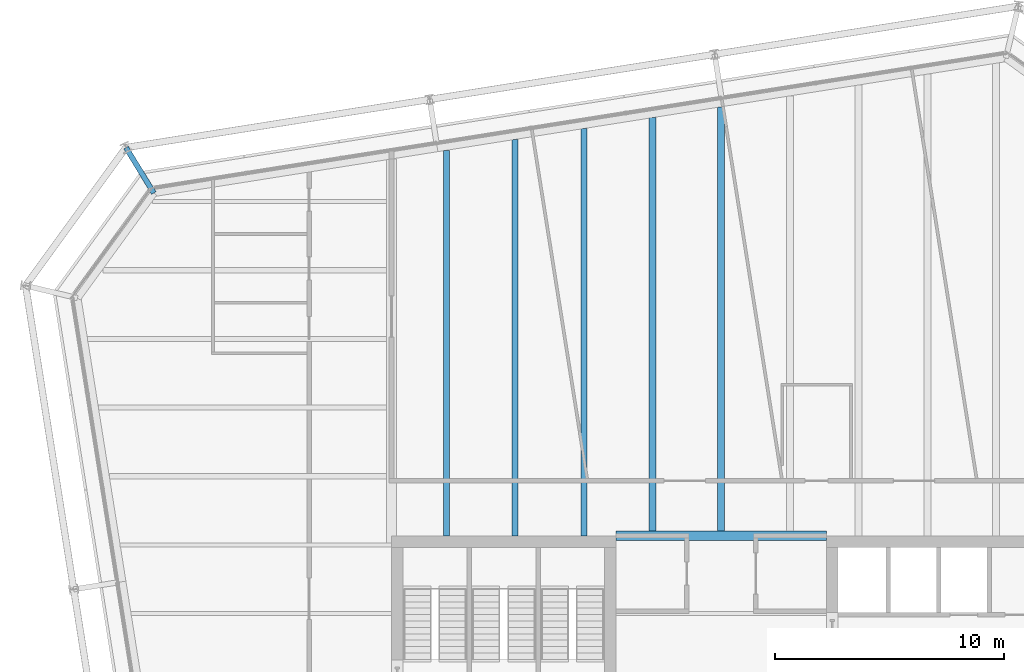
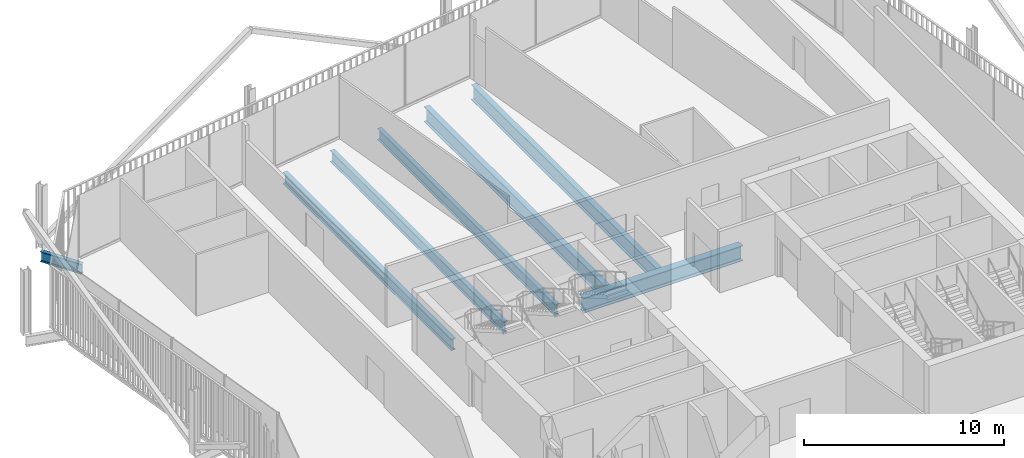
# One storey, part 12 of 21: 7 beams.
"""IFC4 building model written with IfcOpenShell, lengths in metres."""

from ifc_helpers import new_model, si_unit, direction, frame, origin, origin_2d, place, context, subcontext, project, spatial, i_section, extrude, material, material_profile, profile_set, type_object, element, save


model = new_model("IFC4")

# Units and contexts
model_context = context("Model", 3, precision=1e-05, world=origin(), true_north=direction((0.0, 1.0)))
body_context = subcontext(model_context, "Body", "Model", "MODEL_VIEW")
ifc_project = project(units=[si_unit("LENGTHUNIT", "METRE"), si_unit("AREAUNIT", "SQUARE_METRE"), si_unit("VOLUMEUNIT", "CUBIC_METRE"), si_unit("PLANEANGLEUNIT", "RADIAN"), si_unit("MASSUNIT", "GRAM", prefix="KILO")], contexts=[model_context])

# Site, building, storey
site_placement = place(None, origin())
site = spatial("IfcSite", under=ifc_project, at=site_placement, CompositionType="ELEMENT")
building_placement = place(site_placement, origin())
building = spatial("IfcBuilding", under=site, at=building_placement, Name="Millrace Tower", CompositionType="ELEMENT")
storey_placement = place(building_placement, frame((0.0, 0.0, 255.199951171875)))
storey = spatial("IfcBuildingStorey", under=building, at=storey_placement, Name="L58", CompositionType="ELEMENT", Elevation=255.199951171875)

# Beams
ifc_material_1 = material(Name="Steel ASTM A992 Grade 50", Category="steel")
ifc_material_profile_1 = material_profile(ifc_material_1, i_section(OverallWidth=0.256591796875, OverallDepth=0.693359375, WebThickness=0.014404296875, FlangeThickness=0.023681640625, FilletRadius=0.01513671875, at=origin_2d()))
ifc_profile_set_1 = profile_set([ifc_material_profile_1], Name="Steel ASTM A992 Grade 50")
beam_type_1 = type_object("IfcBeamType", Name="Floor beam W27x114", PredefinedType="JOIST", material=ifc_profile_set_1)
beam_1_placement = place(storey_placement, frame((-12.0, 9.39990234375, -0.506591796875), z_axis=(0.0, 1.0, 0.0), x_axis=(-1.0, 0.0, 0.0)))
element("IfcBeam", 1, at=beam_1_placement, inside=storey, type_object=beam_type_1, Name="BM-D-L58-S1-S036", PredefinedType="JOIST", context=body_context, shape_type="SweptSolid", body=[
    extrude(i_section(OverallWidth=0.256591796875, OverallDepth=0.693359375, WebThickness=0.014404296875, FlangeThickness=0.023681640625, FilletRadius=0.01513671875, at=origin_2d()), origin(), (0.0, 0.0, 1.0), 16.8369140625),
])
beam_2_placement = place(storey_placement, frame((-9.0, 9.39990234375, -0.506591796875), z_axis=(0.0, 1.0, 0.0), x_axis=(-1.0, 0.0, 0.0)))
element("IfcBeam", 2, at=beam_2_placement, inside=storey, type_object=beam_type_1, Name="BM-D-L58-S1-S038", PredefinedType="JOIST", context=body_context, shape_type="SweptSolid", body=[
    extrude(i_section(OverallWidth=0.256591796875, OverallDepth=0.693359375, WebThickness=0.014404296875, FlangeThickness=0.023681640625, FilletRadius=0.01513671875, at=origin_2d()), origin(), (0.0, 0.0, 1.0), 17.31201171875),
])
beam_3_placement = place(storey_placement, frame((-6.0, 9.39990234375, -0.506591796875), z_axis=(0.0, 1.0, 0.0), x_axis=(-1.0, 0.0, 0.0)))
element("IfcBeam", 3, at=beam_3_placement, inside=storey, type_object=beam_type_1, Name="BM-D-L58-S1-S040", PredefinedType="JOIST", context=body_context, shape_type="SweptSolid", body=[
    extrude(i_section(OverallWidth=0.256591796875, OverallDepth=0.693359375, WebThickness=0.014404296875, FlangeThickness=0.023681640625, FilletRadius=0.01513671875, at=origin_2d()), origin(), (0.0, 0.0, 1.0), 17.787109375),
])
ifc_material_2 = material(Name="Steel ASTM A992 Grade 50", Category="steel")
ifc_material_profile_2 = material_profile(ifc_material_2, i_section(OverallWidth=0.307373046875, OverallDepth=0.927001953125, WebThickness=0.01953125, FlangeThickness=0.031982421875, FilletRadius=0.01904296875, at=origin_2d()))
ifc_profile_set_2 = profile_set([ifc_material_profile_2], Name="Steel ASTM A992 Grade 50")
beam_type_2 = type_object("IfcBeamType", Name="Floor beam W36x194", PredefinedType="JOIST", material=ifc_profile_set_2)
beam_4_placement = place(storey_placement, frame((-3.0, 9.609619140625, -0.62353515625), z_axis=(0.0, 1.0, 0.0), x_axis=(-1.0, 0.0, 0.0)))
element("IfcBeam", 4, at=beam_4_placement, inside=storey, type_object=beam_type_2, Name="BM-D-L58-S1-S042", PredefinedType="JOIST", context=body_context, shape_type="SweptSolid", body=[
    extrude(i_section(OverallWidth=0.307373046875, OverallDepth=0.927001953125, WebThickness=0.01953125, FlangeThickness=0.031982421875, FilletRadius=0.01904296875, at=origin_2d()), origin(), (0.0, 0.0, 1.0), 18.052490234375),
])
beam_5_placement = place(storey_placement, frame((0.0, 9.609619140625, -0.62353515625), z_axis=(0.0, 1.0, 0.0), x_axis=(-1.0, 0.0, 0.0)))
element("IfcBeam", 5, at=beam_5_placement, inside=storey, type_object=beam_type_2, Name="BM-D-L58-S1-S044", PredefinedType="JOIST", context=body_context, shape_type="SweptSolid", body=[
    extrude(i_section(OverallWidth=0.307373046875, OverallDepth=0.927001953125, WebThickness=0.01953125, FlangeThickness=0.031982421875, FilletRadius=0.01904296875, at=origin_2d()), origin(), (0.0, 0.0, 1.0), 18.527587890625),
])
ifc_material_3 = material(Name="Steel ASTM A992 Grade 50", Category="steel")
ifc_material_profile_3 = material_profile(ifc_material_3, i_section(OverallWidth=0.419189453125, OverallDepth=0.927001953125, WebThickness=0.019287109375, FlangeThickness=0.031982421875, FilletRadius=0.024169921875, at=origin_2d()))
ifc_profile_set_3 = profile_set([ifc_material_profile_3], Name="Steel ASTM A992 Grade 50")
beam_type_3 = type_object("IfcBeamType", Name="Girder short span W36x231", PredefinedType="BEAM", material=ifc_profile_set_3)
beam_6_placement = place(storey_placement, frame((-4.60009765625, 9.39990234375, -0.62353515625), z_axis=(1.0, 0.0, 0.0), x_axis=(0.0, 1.0, 0.0)))
element("IfcBeam", 6, at=beam_6_placement, inside=storey, type_object=beam_type_3, Name="BM-D-L58-S1-G058", PredefinedType="BEAM", context=body_context, shape_type="SweptSolid", body=[
    extrude(i_section(OverallWidth=0.419189453125, OverallDepth=0.927001953125, WebThickness=0.019287109375, FlangeThickness=0.031982421875, FilletRadius=0.024169921875, at=origin_2d()), origin(), (0.0, 0.0, 1.0), 9.2001953125),
])
ifc_material_4 = material(Name="Steel ASTM A992 Grade 50", Category="steel")
ifc_material_profile_4 = material_profile(ifc_material_4, i_section(OverallWidth=0.23046875, OverallDepth=0.6171875, WebThickness=0.01318359375, FlangeThickness=0.022216796875, FilletRadius=0.012939453125, at=origin_2d()))
ifc_profile_set_4 = profile_set([ifc_material_profile_4], Name="Steel ASTM A992 Grade 50")
beam_type_4 = type_object("IfcBeamType", Name="Link beam W24x94", PredefinedType="BEAM", material=ifc_profile_set_4)
beam_7_placement = place(storey_placement, frame((-24.7783203125, 24.368408203125, -0.468505859375), z_axis=(-0.522512938711, 0.852631355792, 0.0), x_axis=(-0.852631355792, -0.522512938711, 0.0)))
element("IfcBeam", 7, at=beam_7_placement, inside=storey, type_object=beam_type_4, Name="LNK-D-L58-S1-05", PredefinedType="BEAM", context=body_context, shape_type="SweptSolid", body=[
    extrude(i_section(OverallWidth=0.23046875, OverallDepth=0.6171875, WebThickness=0.01318359375, FlangeThickness=0.022216796875, FilletRadius=0.012939453125, at=origin_2d()), origin(), (0.0, 0.0, 1.0), 2.3310546875),
])

save(model, "model.ifc")
